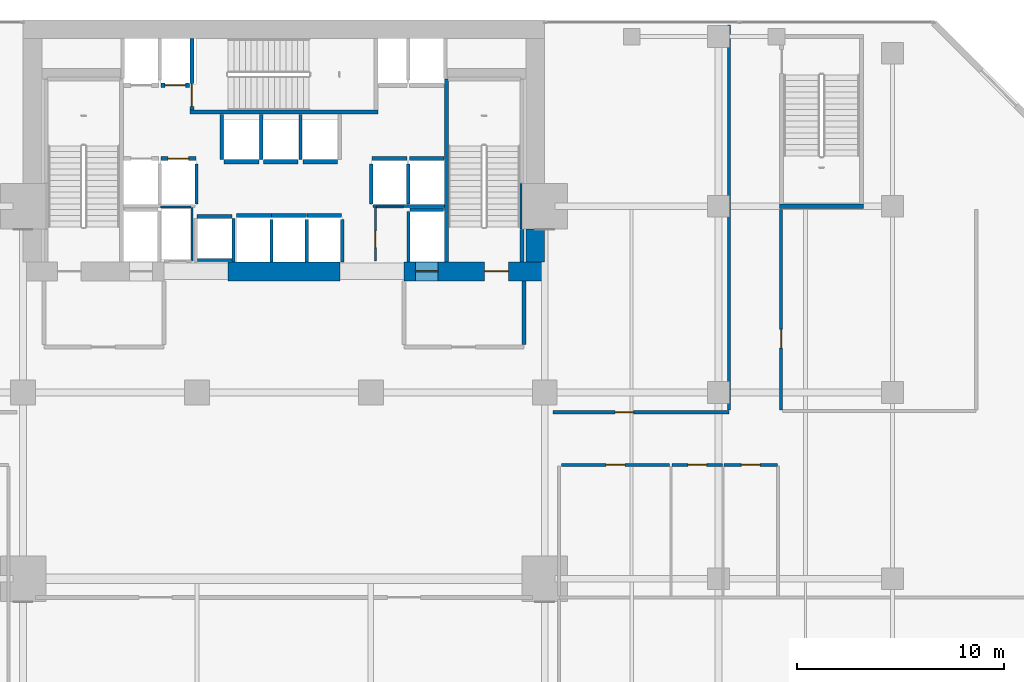
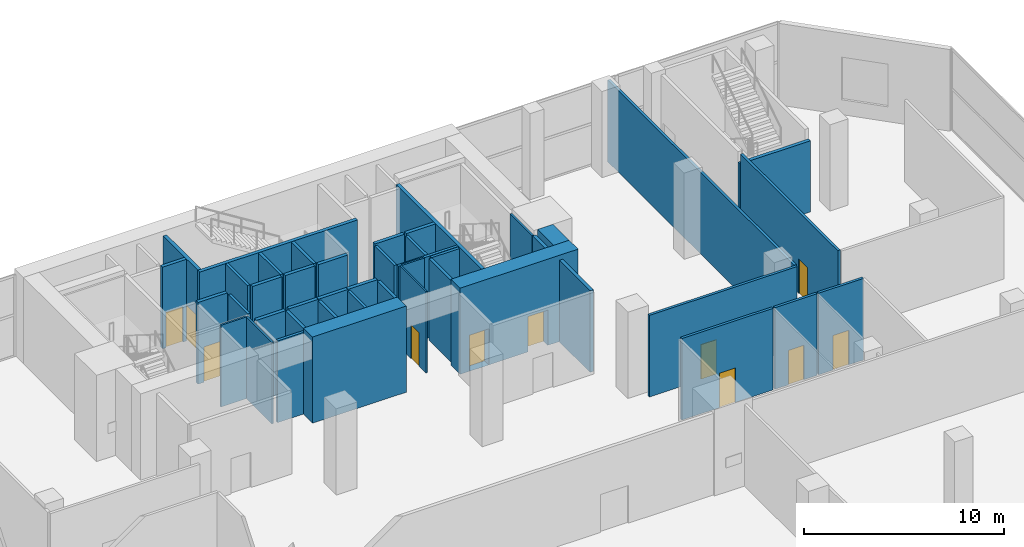
# One storey, part 36 of 40: 45 walls, 11 doors, 11 openings.
"""IFC4 building model written with IfcOpenShell, lengths in metres."""

import ifcopenshell
import ifcopenshell.guid

model = None  # the IFC model being written
_history = None  # IfcOwnerHistory: only IFC2X3 demands one
_inside = {}  # id of a spatial element -> (the spatial element, [elements in it])
_under = {}  # id of a project, library or spatial element -> (it, [spatial elements below it])
_declared = {}  # id of a project -> (the project, [libraries it declares])
_typed = {}  # id of a type object -> (the type object, [elements of that type])
_made_of = {}  # id of a material, layer set ... -> (it, [elements and type objects made of it])


def new_model(schema):
    """Start an empty IFC model of exactly this schema.

    Asked for "IFC4X3", IfcOpenShell would pick the latest addendum, in which some entities
    have other attributes; the version numbers below select the first issue.
    IFC2X3 requires an IfcOwnerHistory on every rooted entity: one is made here for all.
    """
    global model, _history
    if schema == "IFC4X3":
        model = ifcopenshell.file(schema_version=(4, 3, 0, 0))
    else:
        model = ifcopenshell.file(schema=schema)
    _inside.clear()
    _under.clear()
    _declared.clear()
    _typed.clear()
    _made_of.clear()
    _history = None
    if model.schema == "IFC2X3":
        org = make("IfcOrganization", Name="unknown")
        user = make(
            "IfcPersonAndOrganization",
            ThePerson=make("IfcPerson", FamilyName="unknown"),
            TheOrganization=org,
        )
        app = make(
            "IfcApplication",
            ApplicationDeveloper=org,
            Version="unknown",
            ApplicationFullName="unknown",
            ApplicationIdentifier="unknown",
        )
        _history = make(
            "IfcOwnerHistory",
            OwningUser=user,
            OwningApplication=app,
            ChangeAction="ADDED",
            CreationDate=0,
        )
    return model


def make(cls, **values):
    """One entity of the class cls with the attributes given. An attribute that is None is left unset."""
    return model.create_entity(
        cls, **{name: value for name, value in values.items() if value is not None}
    )


def rooted(cls, **values):
    """An entity with a GlobalId (a new one), such as an element, a storey or a relation."""
    return make(cls, GlobalId=ifcopenshell.guid.new(), OwnerHistory=_history, **values)


def si_unit(unit_type, name, prefix=None):
    """IfcSIUnit, for example si_unit("LENGTHUNIT", "METRE", prefix="MILLI")."""
    return make("IfcSIUnit", UnitType=unit_type, Prefix=prefix, Name=name)


def assignment(units):
    """IfcUnitAssignment: the units of a project."""
    return None if units is None else make("IfcUnitAssignment", Units=units)


def point(xyz):
    """IfcCartesianPoint."""
    return None if xyz is None else make("IfcCartesianPoint", Coordinates=xyz)


def direction(xyz):
    """IfcDirection."""
    return None if xyz is None else make("IfcDirection", DirectionRatios=xyz)


def frame(location, z_axis=None, x_axis=None):
    """IfcAxis2Placement3D, a coordinate frame: its origin and axes. An axis left out is left unset."""
    return make(
        "IfcAxis2Placement3D",
        Location=point(location),
        Axis=direction(z_axis),
        RefDirection=direction(x_axis),
    )


def frame_2d(location, x_axis=None):
    """IfcAxis2Placement2D, a coordinate frame in the plane: its origin and x axis."""
    return make(
        "IfcAxis2Placement2D", Location=point(location), RefDirection=direction(x_axis)
    )


def origin():
    """The frame at (0, 0, 0) with its axes left unset."""
    return frame((0.0, 0.0, 0.0))


def place(relative_to, where):
    """IfcLocalPlacement: puts the frame where relative to a parent placement (None: the world)."""
    return make(
        "IfcLocalPlacement", PlacementRelTo=relative_to, RelativePlacement=where
    )


def context(
    kind, dimensions, precision=None, world=None, true_north=None, identifier=None
):
    """IfcGeometricRepresentationContext, for example the 3D "Model" context."""
    return make(
        "IfcGeometricRepresentationContext",
        ContextIdentifier=identifier,
        ContextType=kind,
        CoordinateSpaceDimension=dimensions,
        Precision=precision,
        WorldCoordinateSystem=world,
        TrueNorth=true_north,
    )


def subcontext(parent, identifier, kind, view, scale=None):
    """IfcGeometricRepresentationSubContext, for example "Body" below "Model"."""
    return make(
        "IfcGeometricRepresentationSubContext",
        ContextIdentifier=identifier,
        ContextType=kind,
        ParentContext=parent,
        TargetScale=scale,
        TargetView=view,
    )


def project(units=None, contexts=None):
    """IfcProject with its units and contexts."""
    return rooted(
        "IfcProject",
        Name="project",
        RepresentationContexts=contexts,
        UnitsInContext=assignment(units),
    )


def spatial(cls, under=None, at=None, **own):
    """A site, building, storey or space (cls), placed at a placement, below another one or the project."""
    s = rooted(cls, ObjectPlacement=at, **own)
    if under is not None:
        _under.setdefault(under.id(), (under, []))[1].append(s)
    return s


def profile(cls, at=None, kind="AREA", **sizes):
    """A parametric profile (cls). Its sizes go by their IFC names, for example OverallWidth=200.0."""
    return make(cls, ProfileType=kind, Position=at, **sizes)


def rectangle(**sizes):
    """IfcRectangleProfileDef."""
    return profile("IfcRectangleProfileDef", **sizes)


def extrude(swept, where, along, depth):
    """IfcExtrudedAreaSolid: the profile swept, set in the frame where, extruded along a direction by depth."""
    return make(
        "IfcExtrudedAreaSolid",
        SweptArea=swept,
        Position=where,
        ExtrudedDirection=direction(along),
        Depth=depth,
    )


def shape(context_of_items, identifier, shape_type, items):
    """IfcShapeRepresentation: the items that make up one representation, for example the "Body"."""
    return make(
        "IfcShapeRepresentation",
        ContextOfItems=context_of_items,
        RepresentationIdentifier=identifier,
        RepresentationType=shape_type,
        Items=items,
    )


def material(Name=None, Category=None):
    """IfcMaterial."""
    return make("IfcMaterial", Name=Name, Category=Category)


def layer(
    of_material, thickness, ventilated=None, Name=None, Category=None, Priority=None
):
    """IfcMaterialLayer: one layer of a wall or slab, of a material (None: an air gap)."""
    return make(
        "IfcMaterialLayer",
        Material=of_material,
        LayerThickness=thickness,
        IsVentilated=ventilated,
        Name=Name,
        Category=Category,
        Priority=Priority,
    )


def layer_set(layers, Name=None):
    """IfcMaterialLayerSet."""
    return make("IfcMaterialLayerSet", MaterialLayers=layers, LayerSetName=Name)


def made_of(thing, what):
    """Note that an element or type object is made of a material, layer set ...; save() writes the relation."""
    if what is not None:
        _made_of.setdefault(what.id(), (what, []))[1].append(thing)
    return thing


def type_object(cls, material=None, **own):
    """A type object (cls), such as IfcWallType, which elements share."""
    return made_of(rooted(cls, **own), material)


def element(
    cls,
    number,
    at=None,
    inside=None,
    cuts=None,
    type_object=None,
    material=None,
    context=None,
    identifier="Body",
    shape_type=None,
    held_by="IfcProductDefinitionShape",
    body=None,
    shapes=None,
    **own,
):
    """One element of the class cls, such as IfcWall. Its Tag is "e" and its number.

    at: its placement. inside: the storey or other place that contains it. cuts: it is an
    opening in that element (IfcRelVoidsElement). A single representation is given by context,
    identifier, shape_type and body (its items); several are given by shapes. held_by: the class
    of the entity that holds the representations. save() writes the other relations.
    """
    e = rooted(cls, Tag="e%d" % number, ObjectPlacement=at, **own)
    if body is not None:
        shapes = [shape(context, identifier, shape_type, body)]
    if shapes is not None:
        e.Representation = make(held_by, Representations=shapes)
    if inside is not None:
        _inside.setdefault(inside.id(), (inside, []))[1].append(e)
    if cuts is not None:
        rooted(
            "IfcRelVoidsElement", RelatingBuildingElement=cuts, RelatedOpeningElement=e
        )
    if type_object is not None:
        _typed.setdefault(type_object.id(), (type_object, []))[1].append(e)
    return made_of(e, material)


def fill(opening, filler):
    """IfcRelFillsElement: the door or window that sits in an opening."""
    return rooted(
        "IfcRelFillsElement",
        RelatingOpeningElement=opening,
        RelatedBuildingElement=filler,
    )


def aggregate(whole, parts):
    """IfcRelAggregates: a whole, such as a stair, and the parts it consists of."""
    return rooted("IfcRelAggregates", RelatingObject=whole, RelatedObjects=parts)


def save(model, path):
    """Write the relations noted so far, then the file.

    IfcRelAggregates (storeys below a building ...), IfcRelContainedInSpatialStructure (elements
    in a storey), IfcRelDefinesByType, IfcRelAssociatesMaterial and IfcRelDeclares: one each for
    every whole, place, type object, material and project.
    """
    for whole, parts in _under.values():
        aggregate(whole, parts)
    for where, things in _inside.values():
        rooted(
            "IfcRelContainedInSpatialStructure",
            RelatedElements=things,
            RelatingStructure=where,
        )
    for kind, things in _typed.values():
        rooted("IfcRelDefinesByType", RelatedObjects=things, RelatingType=kind)
    for what, things in _made_of.values():
        rooted("IfcRelAssociatesMaterial", RelatedObjects=things, RelatingMaterial=what)
    for by, libraries in _declared.values():
        rooted("IfcRelDeclares", RelatingContext=by, RelatedDefinitions=libraries)
    model.write(path)


model = new_model("IFC4")

# Units and contexts
model_context = context("Model", 3, precision=1e-05, world=origin(), true_north=direction((0.0, 1.0)))
body_context = subcontext(model_context, "Body", "Model", "MODEL_VIEW")
ifc_project = project(units=[si_unit("LENGTHUNIT", "METRE"), si_unit("AREAUNIT", "SQUARE_METRE"), si_unit("VOLUMEUNIT", "CUBIC_METRE"), si_unit("PLANEANGLEUNIT", "RADIAN"), si_unit("MASSUNIT", "GRAM", prefix="KILO")], contexts=[model_context])

# Site, building, storey
site_placement = place(None, origin())
site = spatial("IfcSite", under=ifc_project, at=site_placement, CompositionType="ELEMENT")
building_placement = place(site_placement, origin())
building = spatial("IfcBuilding", under=site, at=building_placement, Name="Maruvema Waterfront Hotel and Observation Tower", CompositionType="ELEMENT")
storey_placement = place(building_placement, frame((0.0, 0.0, 5.60009765625)))
storey = spatial("IfcBuildingStorey", under=building, at=storey_placement, Name="L01", CompositionType="ELEMENT", Elevation=5.60009765625)

# Wall, opening, door
ifc_material_1 = material(Name="Twin-stud acoustic gypsum drywall", Category="gypsum")
ifc_layer_1 = layer(ifc_material_1, 0.14990234375, Name="Acoustic Corridor and Suite Demising Wall 150 mm")
ifc_layer_set_1 = layer_set([ifc_layer_1], Name="Twin-stud acoustic gypsum drywall")
wall_type_1 = type_object("IfcWallType", Name="Acoustic Corridor and Suite Demising Wall 150 mm", PredefinedType="PARTITIONING", material=ifc_layer_set_1)
wall_1_placement = place(storey_placement, frame((51.199951171875, 32.5, 0.0), z_axis=(0.0, 0.0, 1.0), x_axis=(1.0, 0.0, 0.0)))
wall_1 = element("IfcWall", 1, at=wall_1_placement, inside=storey, type_object=wall_type_1, Name="L01 L01 Toilet Wall 022", PredefinedType="PARTITIONING", context=body_context, shape_type="SweptSolid", body=[
    extrude(rectangle(XDim=5.239990234375, YDim=0.14990234375, at=frame_2d((2.6201171875, 0.0))), origin(), (0.0, 0.0, 1.0), 4.969970703125),
])
opening_1_placement = place(wall_1_placement, frame((2.169921875, 0.0, 0.0)))
opening_1 = element("IfcOpeningElement", 2, at=opening_1_placement, cuts=wall_1, Name="Opening DR-090", PredefinedType="OPENING", context=body_context, shape_type="SweptSolid", body=[
    extrude(rectangle(XDim=0.89990234375, YDim=2.10009765625, at=frame_2d((0.449951171875, 1.050048828125))), frame((0.0, 0.0849609375, 0.0), z_axis=(0.0, -1.0, 0.0), x_axis=(1.0, 0.0, 0.0)), (0.0, 0.0, 1.0), 0.169921875),
])
ifc_material_2 = material(Name="Solid-core lacquered timber leaf", Category="wood")
door_type_1 = type_object("IfcDoorType", Name="Accessible Toilet and Room Door 900x2100 mm", OperationType="NOTDEFINED", PredefinedType="DOOR", material=ifc_material_2)
door_1_placement = place(opening_1_placement, origin())
door_1 = element("IfcDoor", 3, at=door_1_placement, inside=storey, type_object=door_type_1, Name="L01 Public Toilet Door", OperationType="SINGLE_SWING_LEFT", OverallHeight=2.10009765625, OverallWidth=0.89990234375, PredefinedType="DOOR", context=body_context, shape_type="SweptSolid", body=[
    extrude(rectangle(XDim=0.89990234375, YDim=2.10009765625, at=frame_2d((0.449951171875, 1.050048828125))), frame((0.0, 0.02490234375, 0.0), z_axis=(0.0, -1.0, 0.0), x_axis=(1.0, 0.0, 0.0)), (0.0, 0.0, 1.0), 0.050048828125),
])
fill(opening_1, door_1)

wall_2_placement = place(storey_placement, frame((56.56005859375, 32.5, 0.0), z_axis=(0.0, 0.0, 1.0), x_axis=(1.0, 0.0, 0.0)))
wall_2 = element("IfcWall", 4, at=wall_2_placement, inside=storey, type_object=wall_type_1, Name="L01 L01 Acc WC Wall 023", PredefinedType="PARTITIONING", context=body_context, shape_type="SweptSolid", body=[
    extrude(rectangle(XDim=2.419921875, YDim=0.14990234375, at=frame_2d((1.2099609375, 0.0))), origin(), (0.0, 0.0, 1.0), 4.969970703125),
])
opening_2_placement = place(wall_2_placement, frame((0.760009765625, 0.0, 0.0)))
opening_2 = element("IfcOpeningElement", 5, at=opening_2_placement, cuts=wall_2, Name="Opening DR-090", PredefinedType="OPENING", context=body_context, shape_type="SweptSolid", body=[
    extrude(rectangle(XDim=0.89990234375, YDim=2.10009765625, at=frame_2d((0.449951171875, 1.050048828125))), frame((0.0, 0.0849609375, 0.0), z_axis=(0.0, -1.0, 0.0), x_axis=(1.0, 0.0, 0.0)), (0.0, 0.0, 1.0), 0.169921875),
])
door_2_placement = place(opening_2_placement, origin())
door_2 = element("IfcDoor", 6, at=door_2_placement, inside=storey, type_object=door_type_1, Name="L01 Accessible WC Door", OperationType="SINGLE_SWING_RIGHT", OverallHeight=2.10009765625, OverallWidth=0.89990234375, PredefinedType="DOOR", context=body_context, shape_type="SweptSolid", body=[
    extrude(rectangle(XDim=0.89990234375, YDim=2.10009765625, at=frame_2d((0.449951171875, 1.050048828125))), frame((0.0, 0.02490234375, 0.0), z_axis=(0.0, -1.0, 0.0), x_axis=(1.0, 0.0, 0.0)), (0.0, 0.0, 1.0), 0.050048828125),
])
fill(opening_2, door_2)

wall_3_placement = place(storey_placement, frame((59.06005859375, 32.5, 0.0), z_axis=(0.0, 0.0, 1.0), x_axis=(1.0, 0.0, 0.0)))
wall_3 = element("IfcWall", 7, at=wall_3_placement, inside=storey, type_object=wall_type_1, Name="L01 L01 Linen Store Wall 024", PredefinedType="PARTITIONING", context=body_context, shape_type="SweptSolid", body=[
    extrude(rectangle(XDim=2.58984375, YDim=0.14990234375, at=frame_2d((1.294921875, 0.0))), origin(), (0.0, 0.0, 1.0), 4.969970703125),
])
opening_3_placement = place(wall_3_placement, frame((0.844970703125, 0.0, 0.0)))
opening_3 = element("IfcOpeningElement", 8, at=opening_3_placement, cuts=wall_3, Name="Opening DR-090", PredefinedType="OPENING", context=body_context, shape_type="SweptSolid", body=[
    extrude(rectangle(XDim=0.89990234375, YDim=2.10009765625, at=frame_2d((0.449951171875, 1.050048828125))), frame((0.0, 0.0849609375, 0.0), z_axis=(0.0, -1.0, 0.0), x_axis=(1.0, 0.0, 0.0)), (0.0, 0.0, 1.0), 0.169921875),
])
door_3_placement = place(opening_3_placement, origin())
door_3 = element("IfcDoor", 9, at=door_3_placement, inside=storey, type_object=door_type_1, Name="L01 Podium Linen Store Door", OperationType="SINGLE_SWING_LEFT", OverallHeight=2.10009765625, OverallWidth=0.89990234375, PredefinedType="DOOR", context=body_context, shape_type="SweptSolid", body=[
    extrude(rectangle(XDim=0.89990234375, YDim=2.10009765625, at=frame_2d((0.449951171875, 1.050048828125))), frame((0.0, 0.02490234375, 0.0), z_axis=(0.0, -1.0, 0.0), x_axis=(1.0, 0.0, 0.0)), (0.0, 0.0, 1.0), 0.050048828125),
])
fill(opening_3, door_3)

wall_4_placement = place(storey_placement, frame((50.800048828125, 35.050048828125, 0.0), z_axis=(0.0, 0.0, 1.0), x_axis=(1.0, 0.0, 0.0)))
wall_4 = element("IfcWall", 10, at=wall_4_placement, inside=storey, type_object=wall_type_1, Name="L01 L01 Lounge South Wall 031", PredefinedType="PARTITIONING", context=body_context, shape_type="SweptSolid", body=[
    extrude(rectangle(XDim=8.5, YDim=0.14990234375, at=frame_2d((4.25, 0.0))), origin(), (0.0, 0.0, 1.0), 4.969970703125),
])
opening_4_placement = place(wall_4_placement, frame((3.0, 0.0, 0.0)))
opening_4 = element("IfcOpeningElement", 11, at=opening_4_placement, cuts=wall_4, Name="Opening DR-090", PredefinedType="OPENING", context=body_context, shape_type="SweptSolid", body=[
    extrude(rectangle(XDim=0.89990234375, YDim=2.10009765625, at=frame_2d((0.449951171875, 1.050048828125))), frame((0.0, 0.0849609375, 0.0), z_axis=(0.0, -1.0, 0.0), x_axis=(1.0, 0.0, 0.0)), (0.0, 0.0, 1.0), 0.169921875),
])
door_4_placement = place(opening_4_placement, frame((0.89990234375, 0.0, 0.0), z_axis=(0.0, 0.0, 1.0), x_axis=(-1.0, 0.0, 0.0)))
door_4 = element("IfcDoor", 12, at=door_4_placement, inside=storey, type_object=door_type_1, Name="L01 Business Lounge Door", OperationType="SINGLE_SWING_RIGHT", OverallHeight=2.10009765625, OverallWidth=0.89990234375, PredefinedType="DOOR", context=body_context, shape_type="SweptSolid", body=[
    extrude(rectangle(XDim=0.89990234375, YDim=2.10009765625, at=frame_2d((0.449951171875, 1.050048828125))), frame((0.0, 0.02490234375, 0.0), z_axis=(0.0, -1.0, 0.0), x_axis=(1.0, 0.0, 0.0)), (0.0, 0.0, 1.0), 0.050048828125),
])
fill(opening_4, door_4)

# Wall
wall_5_placement = place(storey_placement, frame((59.300048828125, 35.14990234375, 0.0), z_axis=(0.0, 0.0, 1.0), x_axis=(0.0, 1.0, 0.0)))
element("IfcWall", 13, at=wall_5_placement, inside=storey, type_object=wall_type_1, Name="L01 L01 Lounge East Wall 032", PredefinedType="PARTITIONING", context=body_context, shape_type="SweptSolid", body=[
    extrude(rectangle(XDim=18.60009765625, YDim=0.14990234375, at=frame_2d((9.300048828125, 0.0))), origin(), (0.0, 0.0, 1.0), 4.969970703125),
])

# Wall, opening, door
wall_6_placement = place(storey_placement, frame((61.820068359375, 35.14990234375, 0.0), z_axis=(0.0, 0.0, 1.0), x_axis=(0.0, 1.0, 0.0)))
wall_6 = element("IfcWall", 14, at=wall_6_placement, inside=storey, type_object=wall_type_1, Name="L01 L01 AV Store Wall 033", PredefinedType="PARTITIONING", context=body_context, shape_type="SweptSolid", body=[
    extrude(rectangle(XDim=9.7001953125, YDim=0.14990234375, at=frame_2d((4.85009765625, 0.0))), origin(), (0.0, 0.0, 1.0), 4.969970703125),
])
opening_5_placement = place(wall_6_placement, frame((3.0, 0.0, 0.0)))
opening_5 = element("IfcOpeningElement", 15, at=opening_5_placement, cuts=wall_6, Name="Opening DR-090", PredefinedType="OPENING", context=body_context, shape_type="SweptSolid", body=[
    extrude(rectangle(XDim=0.89990234375, YDim=2.10009765625, at=frame_2d((0.449951171875, 1.050048828125))), frame((0.0, 0.0849609375, 0.0), z_axis=(0.0, -1.0, 0.0), x_axis=(1.0, 0.0, 0.0)), (0.0, 0.0, 1.0), 0.169921875),
])
door_5_placement = place(opening_5_placement, frame((0.89990234375, 0.0, 0.0), z_axis=(0.0, 0.0, 1.0), x_axis=(-1.0, 0.0, 0.0)))
door_5 = element("IfcDoor", 16, at=door_5_placement, inside=storey, type_object=door_type_1, Name="L01 AV Store Door", OperationType="SINGLE_SWING_LEFT", OverallHeight=2.10009765625, OverallWidth=0.89990234375, PredefinedType="DOOR", context=body_context, shape_type="SweptSolid", body=[
    extrude(rectangle(XDim=0.89990234375, YDim=2.10009765625, at=frame_2d((0.449951171875, 1.050048828125))), frame((0.0, 0.02490234375, 0.0), z_axis=(0.0, -1.0, 0.0), x_axis=(1.0, 0.0, 0.0)), (0.0, 0.0, 1.0), 0.050048828125),
])
fill(opening_5, door_5)

# Wall
ifc_material_3 = material(Name="Precast concrete C45/55", Category="concrete")
ifc_layer_2 = layer(ifc_material_3, 0.199951171875, Name="Core Shaft and Stairwell Enclosure Wall 200 mm")
ifc_layer_set_2 = layer_set([ifc_layer_2], Name="Precast concrete C45/55")
wall_type_2 = type_object("IfcWallType", Name="Core Shaft and Stairwell Enclosure Wall 200 mm", PredefinedType="SOLIDWALL", material=ifc_layer_set_2)
wall_7_placement = place(storey_placement, frame((33.25, 49.550048828125, 0.0), z_axis=(0.0, 0.0, 1.0), x_axis=(1.0, 0.0, 0.0)))
element("IfcWall", 17, at=wall_7_placement, inside=storey, type_object=wall_type_2, Name="L01 Stairwell ST-02 Shaft Wall", PredefinedType="SOLIDWALL", context=body_context, shape_type="SweptSolid", body=[
    extrude(rectangle(XDim=9.10009765625, YDim=0.199951171875, at=frame_2d((4.550048828125, 0.0))), origin(), (0.0, 0.0, 1.0), 4.969970703125),
])

# Wall, opening, door
wall_8_placement = place(storey_placement, frame((33.35009765625, 49.64990234375, 0.0), z_axis=(0.0, 0.0, 1.0), x_axis=(0.0, 1.0, 0.0)))
wall_8 = element("IfcWall", 18, at=wall_8_placement, inside=storey, type_object=wall_type_2, Name="L01 Stairwell ST-02 Shaft Wall", PredefinedType="SOLIDWALL", context=body_context, shape_type="SweptSolid", body=[
    extrude(rectangle(XDim=3.4501953125, YDim=0.199951171875, at=frame_2d((1.72509765625, 0.0))), origin(), (0.0, 0.0, 1.0), 4.969970703125),
])
opening_6_placement = place(wall_8_placement, frame((0.179931640625, 0.0, 0.0)))
opening_6 = element("IfcOpeningElement", 19, at=opening_6_placement, cuts=wall_8, Name="Opening SD-02", PredefinedType="OPENING", context=body_context, shape_type="SweptSolid", body=[
    extrude(rectangle(XDim=1.10009765625, YDim=2.14990234375, at=frame_2d((0.550048828125, 1.074951171875))), frame((0.0, 0.10986328125, 0.0), z_axis=(0.0, -1.0, 0.0), x_axis=(1.0, 0.0, 0.0)), (0.0, 0.0, 1.0), 0.219970703125),
])
ifc_material_4 = material(Name="Fire-rated galvanised steel leaf", Category="steel")
door_type_2 = type_object("IfcDoorType", Name="Central Exit Stair Fire Door 1100x2150 mm", OperationType="NOTDEFINED", PredefinedType="DOOR", material=ifc_material_4)
door_6_placement = place(opening_6_placement, frame((1.10009765625, 0.0, 0.0), z_axis=(0.0, 0.0, 1.0), x_axis=(-1.0, 0.0, 0.0)))
door_6 = element("IfcDoor", 20, at=door_6_placement, inside=storey, type_object=door_type_2, Name="L01 Exit Stair ST-02 Fire Door", OperationType="SINGLE_SWING_LEFT", OverallHeight=2.14990234375, OverallWidth=1.10009765625, PredefinedType="DOOR", context=body_context, shape_type="SweptSolid", body=[
    extrude(rectangle(XDim=1.10009765625, YDim=2.14990234375, at=frame_2d((0.550048828125, 1.074951171875))), frame((0.0, 0.02490234375, 0.0), z_axis=(0.0, -1.0, 0.0), x_axis=(1.0, 0.0, 0.0)), (0.0, 0.0, 1.0), 0.050048828125),
])
fill(opening_6, door_6)

# Walls
wall_9_placement = place(storey_placement, frame((45.64990234375, 42.300048828125, 0.0), z_axis=(0.0, 0.0, 1.0), x_axis=(0.0, 1.0, 0.0)))
element("IfcWall", 21, at=wall_9_placement, inside=storey, type_object=wall_type_2, Name="L01 Stairwell ST-03 West Shaft Wall", PredefinedType="SOLIDWALL", context=body_context, shape_type="SweptSolid", body=[
    extrude(rectangle(XDim=8.849853515625, YDim=0.199951171875, at=frame_2d((4.4248046875, 0.0))), origin(), (0.0, 0.0, 1.0), 4.969970703125),
])
wall_10_placement = place(storey_placement, frame((49.300048828125, 42.300048828125, 0.0), z_axis=(0.0, 0.0, 1.0), x_axis=(0.0, 1.0, 0.0)))
element("IfcWall", 22, at=wall_10_placement, inside=storey, type_object=wall_type_2, Name="L01 Stairwell ST-03 Shaft Lining Wall", PredefinedType="SOLIDWALL", context=body_context, shape_type="SweptSolid", body=[
    extrude(rectangle(XDim=1.579833984375, YDim=0.199951171875, at=frame_2d((0.7900390625, 0.0))), origin(), (0.0, 0.0, 1.0), 4.969970703125),
])
wall_11_placement = place(storey_placement, frame((61.75, 45.0, 0.0), z_axis=(0.0, 0.0, 1.0), x_axis=(1.0, 0.0, 0.0)))
element("IfcWall", 23, at=wall_11_placement, inside=storey, type_object=wall_type_2, Name="L01 Stairwell ST-05 Shaft Wall", PredefinedType="SOLIDWALL", context=body_context, shape_type="SweptSolid", body=[
    extrude(rectangle(XDim=4.050048828125, YDim=0.199951171875, at=frame_2d((2.02490234375, 0.0))), origin(), (0.0, 0.0, 1.0), 4.3349609375),
])

# Wall, opening, door
wall_12_placement = place(storey_placement, frame((31.860107421875, 47.300048828125, 0.0), z_axis=(0.0, 0.0, 1.0), x_axis=(1.0, 0.0, 0.0)))
wall_12 = element("IfcWall", 24, at=wall_12_placement, inside=storey, type_object=wall_type_2, Name="L01 Lift LF-02 Hoistway Front Wall", PredefinedType="SOLIDWALL", context=body_context, shape_type="SweptSolid", body=[
    extrude(rectangle(XDim=1.679931640625, YDim=0.199951171875, at=frame_2d((0.83984375, 0.0))), origin(), (0.0, 0.0, 1.0), 4.969970703125),
])
opening_7_placement = place(wall_12_placement, frame((0.340087890625, 0.0, 0.0)))
opening_7 = element("IfcOpeningElement", 25, at=opening_7_placement, cuts=wall_12, Name="Opening LD-01", PredefinedType="OPENING", context=body_context, shape_type="SweptSolid", body=[
    extrude(rectangle(XDim=1.0, YDim=2.14990234375, at=frame_2d((0.5, 1.074951171875))), frame((0.0, 0.10986328125, 0.0), z_axis=(0.0, -1.0, 0.0), x_axis=(1.0, 0.0, 0.0)), (0.0, 0.0, 1.0), 0.219970703125),
])
ifc_material_5 = material(Name="Brushed stainless steel Grade 316", Category="steel")
door_type_3 = type_object("IfcDoorType", Name="Passenger Lift Sliding Landing Door 1000x2150 mm", OperationType="SLIDING_TO_LEFT", PredefinedType="DOOR", material=ifc_material_5)
door_7_placement = place(opening_7_placement, origin())
door_7 = element("IfcDoor", 26, at=door_7_placement, inside=storey, type_object=door_type_3, Name="L01 Lift LF-02 Sliding Landing Door", OperationType="SLIDING_TO_LEFT", OverallHeight=2.14990234375, OverallWidth=1.0, PredefinedType="DOOR", context=body_context, shape_type="SweptSolid", body=[
    extrude(rectangle(XDim=1.0, YDim=2.14990234375, at=frame_2d((0.5, 1.074951171875))), frame((0.0, 0.02490234375, 0.0), z_axis=(0.0, -1.0, 0.0), x_axis=(1.0, 0.0, 0.0)), (0.0, 0.0, 1.0), 0.050048828125),
])
fill(opening_7, door_7)

wall_13_placement = place(storey_placement, frame((31.860107421875, 50.85009765625, 0.0), z_axis=(0.0, 0.0, 1.0), x_axis=(1.0, 0.0, 0.0)))
wall_13 = element("IfcWall", 27, at=wall_13_placement, inside=storey, type_object=wall_type_2, Name="L01 Lift LF-04 Hoistway Front Wall", PredefinedType="SOLIDWALL", context=body_context, shape_type="SweptSolid", body=[
    extrude(rectangle(XDim=1.3798828125, YDim=0.199951171875, at=frame_2d((0.68994140625, 0.0))), origin(), (0.0, 0.0, 1.0), 4.969970703125),
])
opening_8_placement = place(wall_13_placement, frame((0.18994140625, 0.0, 0.0)))
opening_8 = element("IfcOpeningElement", 28, at=opening_8_placement, cuts=wall_13, Name="Opening LD-01", PredefinedType="OPENING", context=body_context, shape_type="SweptSolid", body=[
    extrude(rectangle(XDim=1.0, YDim=2.14990234375, at=frame_2d((0.5, 1.074951171875))), frame((0.0, 0.10986328125, 0.0), z_axis=(0.0, -1.0, 0.0), x_axis=(1.0, 0.0, 0.0)), (0.0, 0.0, 1.0), 0.219970703125),
])
door_8_placement = place(opening_8_placement, frame((1.0, 0.0, 0.0), z_axis=(0.0, 0.0, 1.0), x_axis=(-1.0, 0.0, 0.0)))
door_8 = element("IfcDoor", 29, at=door_8_placement, inside=storey, type_object=door_type_3, Name="L01 Lift LF-04 Sliding Landing Door", OperationType="SLIDING_TO_LEFT", OverallHeight=2.14990234375, OverallWidth=1.0, PredefinedType="DOOR", context=body_context, shape_type="SweptSolid", body=[
    extrude(rectangle(XDim=1.0, YDim=2.14990234375, at=frame_2d((0.5, 1.074951171875))), frame((0.0, 0.02490234375, 0.0), z_axis=(0.0, -1.0, 0.0), x_axis=(1.0, 0.0, 0.0)), (0.0, 0.0, 1.0), 0.050048828125),
])
fill(opening_8, door_8)

# Walls
for number, where, z_axis, x_axis, name in (
    (30, (42.06005859375, 47.300048828125, 0.0), (0.0, 0.0, 1.0), (1.0, 0.0, 0.0), "L01 Lift LF-05 Hoistway Front Wall"),
    (31, (43.860107421875, 47.300048828125, 0.0), (0.0, 0.0, 1.0), (1.0, 0.0, 0.0), "L01 Lift LF-06 Hoistway Front Wall"),
    (32, (35.510009765625, 44.550048828125, 0.0), (0.0, 0.0, 1.0), (1.0, 0.0, 0.0), "L01 Lift LF-09 Hoistway Front Wall"),
    (33, (37.2099609375, 44.550048828125, 0.0), (0.0, 0.0, 1.0), (1.0, 0.0, 0.0), "L01 Lift LF-10 Hoistway Front Wall"),
):
    element("IfcWall", number, at=place(storey_placement, frame(where, z_axis=z_axis, x_axis=x_axis)), inside=storey, type_object=wall_type_2, Name=name, PredefinedType="SOLIDWALL", context=body_context, shape_type="SweptSolid", body=[
        extrude(rectangle(XDim=1.679931640625, YDim=0.199951171875, at=frame_2d((0.83984375, 0.0))), origin(), (0.0, 0.0, 1.0), 4.969970703125),
    ])
for number, where, z_axis, x_axis, name in (
    (34, (38.909912109375, 44.550048828125, 0.0), (0.0, 0.0, 1.0), (1.0, 0.0, 0.0), "L01 Lift LF-11 Hoistway Front Wall"),
    (35, (34.909912109375, 47.14990234375, 0.0), (0.0, 0.0, 1.0), (1.0, 0.0, 0.0), "L01 Lift LF-12 Hoistway Front Wall"),
):
    element("IfcWall", number, at=place(storey_placement, frame(where, z_axis=z_axis, x_axis=x_axis)), inside=storey, type_object=wall_type_2, Name=name, PredefinedType="SOLIDWALL", context=body_context, shape_type="SweptSolid", body=[
        extrude(rectangle(XDim=1.68017578125, YDim=0.199951171875, at=frame_2d((0.840087890625, 0.0))), origin(), (0.0, 0.0, 1.0), 4.969970703125),
    ])
for number, where, z_axis, x_axis, name in (
    (36, (36.81005859375, 47.14990234375, 0.0), (0.0, 0.0, 1.0), (1.0, 0.0, 0.0), "L01 Lift LF-13 Hoistway Front Wall"),
    (37, (38.7099609375, 47.14990234375, 0.0), (0.0, 0.0, 1.0), (1.0, 0.0, 0.0), "L01 Lift LF-14 Hoistway Front Wall"),
    (38, (33.610107421875, 44.5, 0.0), (0.0, 0.0, 1.0), (1.0, 0.0, 0.0), "L01 Lift LF-15 Hoistway Front Wall"),
):
    element("IfcWall", number, at=place(storey_placement, frame(where, z_axis=z_axis, x_axis=x_axis)), inside=storey, type_object=wall_type_2, Name=name, PredefinedType="SOLIDWALL", context=body_context, shape_type="SweptSolid", body=[
        extrude(rectangle(XDim=1.679931640625, YDim=0.199951171875, at=frame_2d((0.83984375, 0.0))), origin(), (0.0, 0.0, 1.0), 4.969970703125),
    ])
ifc_material_6 = material(Name="Concrete C80/95", Category="concrete")
ifc_layer_3 = layer(ifc_material_6, 0.89990234375, Name="Core Shear Wall 900 mm")
ifc_layer_set_3 = layer_set([ifc_layer_3], Name="Concrete C80/95")
wall_type_3 = type_object("IfcWallType", Name="Core Shear Wall 900 mm", PredefinedType="SHEAR", material=ifc_layer_set_3)
wall_14_placement = place(storey_placement, frame((35.10009765625, 41.85009765625, 0.0), z_axis=(0.0, 0.0, 1.0), x_axis=(1.0, 0.0, 0.0)))
element("IfcWall", 39, at=wall_14_placement, inside=storey, type_object=wall_type_3, Name="L01 South-Central Core Shear Wall", PredefinedType="SHEAR", context=body_context, shape_type="SweptSolid", body=[
    extrude(rectangle(XDim=5.39990234375, YDim=0.89990234375, at=frame_2d((2.699951171875, 0.0))), origin(), (0.0, 0.0, 1.0), 5.25),
])

# Wall, openings, doors
wall_15_placement = place(storey_placement, frame((43.60009765625, 41.85009765625, 0.0), z_axis=(0.0, 0.0, 1.0), x_axis=(1.0, 0.0, 0.0)))
wall_15 = element("IfcWall", 40, at=wall_15_placement, inside=storey, type_object=wall_type_3, Name="L01 South-East Core Shear Wall", PredefinedType="SHEAR", context=body_context, shape_type="SweptSolid", body=[
    extrude(rectangle(XDim=6.7998046875, YDim=0.89990234375, at=frame_2d((3.39990234375, 0.0))), origin(), (0.0, 0.0, 1.0), 5.25),
])
opening_9_placement = place(wall_15_placement, frame((3.89990234375, 0.0, 0.0)))
opening_9 = element("IfcOpeningElement", 41, at=opening_9_placement, cuts=wall_15, Name="Opening SD-01", PredefinedType="OPENING", context=body_context, shape_type="SweptSolid", body=[
    extrude(rectangle(XDim=1.14990234375, YDim=2.14990234375, at=frame_2d((0.574951171875, 1.074951171875))), frame((0.0, 0.4599609375, 0.0), z_axis=(0.0, -1.0, 0.0), x_axis=(1.0, 0.0, 0.0)), (0.0, 0.0, 1.0), 0.919921875),
])
opening_10_placement = place(wall_15_placement, frame((0.550048828125, 0.0, 0.0)))
opening_10 = element("IfcOpeningElement", 42, at=opening_10_placement, cuts=wall_15, Name="Opening LD-03", PredefinedType="OPENING", context=body_context, shape_type="SweptSolid", body=[
    extrude(rectangle(XDim=1.10009765625, YDim=2.199951171875, at=frame_2d((0.550048828125, 1.10009765625))), frame((0.0, 0.4599609375, 0.0), z_axis=(0.0, -1.0, 0.0), x_axis=(1.0, 0.0, 0.0)), (0.0, 0.0, 1.0), 0.919921875),
])
ifc_material_7 = material(Name="Fire-rated galvanised steel leaf", Category="steel")
door_type_4 = type_object("IfcDoorType", Name="Exit Stair Fire Door 1150x2150 mm", OperationType="NOTDEFINED", PredefinedType="DOOR", material=ifc_material_7)
door_9_placement = place(opening_9_placement, origin())
door_9 = element("IfcDoor", 43, at=door_9_placement, inside=storey, type_object=door_type_4, Name="L01 Exit Stair ST-03 Fire Door", OperationType="SINGLE_SWING_RIGHT", OverallHeight=2.14990234375, OverallWidth=1.14990234375, PredefinedType="DOOR", context=body_context, shape_type="SweptSolid", body=[
    extrude(rectangle(XDim=1.14990234375, YDim=2.14990234375, at=frame_2d((0.574951171875, 1.074951171875))), frame((0.0, 0.02490234375, 0.0), z_axis=(0.0, -1.0, 0.0), x_axis=(1.0, 0.0, 0.0)), (0.0, 0.0, 1.0), 0.050048828125),
])
fill(opening_9, door_9)
ifc_material_8 = material(Name="Brushed stainless steel Grade 316", Category="steel")
door_type_5 = type_object("IfcDoorType", Name="Firefighting Lift Sliding Landing Door 1100x2200 mm", OperationType="SLIDING_TO_LEFT", PredefinedType="DOOR", material=ifc_material_8)
door_10_placement = place(opening_10_placement, frame((1.10009765625, 0.0, 0.0), z_axis=(0.0, 0.0, 1.0), x_axis=(-1.0, 0.0, 0.0)))
door_10 = element("IfcDoor", 44, at=door_10_placement, inside=storey, type_object=door_type_5, Name="L01 Firefighting Lift FL-02 Landing Door", OperationType="SLIDING_TO_LEFT", OverallHeight=2.199951171875, OverallWidth=1.10009765625, PredefinedType="DOOR", context=body_context, shape_type="SweptSolid", body=[
    extrude(rectangle(XDim=1.10009765625, YDim=2.199951171875, at=frame_2d((0.550048828125, 1.10009765625))), frame((0.0, 0.02490234375, 0.0), z_axis=(0.0, -1.0, 0.0), x_axis=(1.0, 0.0, 0.0)), (0.0, 0.0, 1.0), 0.050048828125),
])
fill(opening_10, door_10)

# Walls
wall_16_placement = place(storey_placement, frame((49.949951171875, 42.300048828125, 0.0), z_axis=(0.0, 0.0, 1.0), x_axis=(0.0, 1.0, 0.0)))
element("IfcWall", 45, at=wall_16_placement, inside=storey, type_object=wall_type_3, Name="L01 East-South Core Shear Wall", PredefinedType="SHEAR", context=body_context, shape_type="SweptSolid", body=[
    extrude(rectangle(XDim=1.599853515625, YDim=0.89990234375, at=frame_2d((0.7998046875, 0.0))), origin(), (0.0, 0.0, 1.0), 5.25),
])
ifc_material_9 = material(Name="Moisture-resistant cement-board drywall", Category="gypsum")
ifc_layer_4 = layer(ifc_material_9, 0.10009765625, Name="En-Suite Moisture-Resistant Partition 100 mm")
ifc_layer_set_4 = layer_set([ifc_layer_4], Name="Moisture-resistant cement-board drywall")
wall_type_4 = type_object("IfcWallType", Name="En-Suite Moisture-Resistant Partition 100 mm", PredefinedType="PARTITIONING", material=ifc_layer_set_4)
wall_17_placement = place(storey_placement, frame((31.840087890625, 44.9599609375, 0.0), z_axis=(0.0, 0.0, 1.0), x_axis=(1.0, 0.0, 0.0)))
element("IfcWall", 46, at=wall_17_placement, inside=storey, type_object=wall_type_4, Name="L01 Telecom Riser North Wall 008", PredefinedType="PARTITIONING", context=body_context, shape_type="SweptSolid", body=[
    extrude(rectangle(XDim=1.47998046875, YDim=0.10009765625, at=frame_2d((0.739990234375, 0.0))), origin(), (0.0, 0.0, 1.0), 4.969970703125),
])
wall_18_placement = place(storey_placement, frame((33.360107421875, 42.360107421875, 0.0), z_axis=(0.0, 0.0, 1.0), x_axis=(0.0, 1.0, 0.0)))
element("IfcWall", 47, at=wall_18_placement, inside=storey, type_object=wall_type_4, Name="L01 Telecom Riser East Wall 009", PredefinedType="PARTITIONING", context=body_context, shape_type="SweptSolid", body=[
    extrude(rectangle(XDim=2.579833984375, YDim=0.10009765625, at=frame_2d((1.2900390625, 0.0))), origin(), (0.0, 0.0, 1.0), 4.969970703125),
])

# Wall, opening, door
wall_19_placement = place(storey_placement, frame((42.219970703125, 42.35009765625, 0.0), z_axis=(0.0, 0.0, 1.0), x_axis=(0.0, 1.0, 0.0)))
wall_19 = element("IfcWall", 48, at=wall_19_placement, inside=storey, type_object=wall_type_4, Name="L01 Core Closet K1 West 010", PredefinedType="PARTITIONING", context=body_context, shape_type="SweptSolid", body=[
    extrude(rectangle(XDim=2.60986328125, YDim=0.10009765625, at=frame_2d((1.304931640625, 0.0))), origin(), (0.0, 0.0, 1.0), 4.969970703125),
])
opening_11_placement = place(wall_19_placement, frame((0.64990234375, 0.0, 0.0)))
opening_11 = element("IfcOpeningElement", 49, at=opening_11_placement, cuts=wall_19, Name="Opening DR-080", PredefinedType="OPENING", context=body_context, shape_type="SweptSolid", body=[
    extrude(rectangle(XDim=0.800048828125, YDim=2.050048828125, at=frame_2d((0.39990234375, 1.02490234375))), frame((0.0, 0.06005859375, 0.0), z_axis=(0.0, -1.0, 0.0), x_axis=(1.0, 0.0, 0.0)), (0.0, 0.0, 1.0), 0.1201171875),
])
ifc_material_10 = material(Name="Powder-coated steel access leaf", Category="steel")
door_type_6 = type_object("IfcDoorType", Name="Riser and Service Cupboard Door 800x2050 mm", OperationType="NOTDEFINED", PredefinedType="DOOR", material=ifc_material_10)
door_11_placement = place(opening_11_placement, frame((0.800048828125, 0.0, 0.0), z_axis=(0.0, 0.0, 1.0), x_axis=(-1.0, 0.0, 0.0)))
door_11 = element("IfcDoor", 50, at=door_11_placement, inside=storey, type_object=door_type_6, Name="L01 Core Cleaning Store Door", OperationType="SINGLE_SWING_LEFT", OverallHeight=2.050048828125, OverallWidth=0.800048828125, PredefinedType="DOOR", context=body_context, shape_type="SweptSolid", body=[
    extrude(rectangle(XDim=0.800048828125, YDim=2.050048828125, at=frame_2d((0.39990234375, 1.02490234375))), frame((0.0, 0.02490234375, 0.0), z_axis=(0.0, -1.0, 0.0), x_axis=(1.0, 0.0, 0.0)), (0.0, 0.0, 1.0), 0.050048828125),
])
fill(opening_11, door_11)

# Walls
wall_20_placement = place(storey_placement, frame((42.280029296875, 44.9599609375, 0.0), z_axis=(0.0, 0.0, 1.0), x_axis=(1.0, 0.0, 0.0)))
element("IfcWall", 51, at=wall_20_placement, inside=storey, type_object=wall_type_4, Name="L01 Core Closet K1 North 011", PredefinedType="PARTITIONING", context=body_context, shape_type="SweptSolid", body=[
    extrude(rectangle(XDim=1.300048828125, YDim=0.10009765625, at=frame_2d((0.64990234375, 0.0))), origin(), (0.0, 0.0, 1.0), 4.969970703125),
])
ifc_material_11 = material(Name="Autoclaved cellular concrete blockwork", Category="masonry")
ifc_layer_5 = layer(ifc_material_11, 0.199951171875, Name="Fire Compartment Masonry Wall 200 mm")
ifc_layer_set_5 = layer_set([ifc_layer_5], Name="Autoclaved cellular concrete blockwork")
wall_type_5 = type_object("IfcWallType", Name="Fire Compartment Masonry Wall 200 mm", PredefinedType="PARTITIONING", material=ifc_layer_set_5)
wall_21_placement = place(storey_placement, frame((49.39990234375, 38.31005859375, 0.0), z_axis=(0.0, 0.0, 1.0), x_axis=(0.0, 1.0, 0.0)))
element("IfcWall", 52, at=wall_21_placement, inside=storey, type_object=wall_type_5, Name="L01 FFL East East Wall 006", PredefinedType="PARTITIONING", context=body_context, shape_type="SweptSolid", body=[
    extrude(rectangle(XDim=3.06982421875, YDim=0.199951171875, at=frame_2d((1.534912109375, 0.0))), origin(), (0.0, 0.0, 1.0), 4.969970703125),
])
ifc_material_12 = material(Name="Precast concrete C45/55", Category="concrete")
ifc_layer_6 = layer(ifc_material_12, 0.159912109375, Name="Lift Hoistway Divider Wall 160 mm")
ifc_layer_set_6 = layer_set([ifc_layer_6], Name="Precast concrete C45/55")
wall_type_6 = type_object("IfcWallType", Name="Lift Hoistway Divider Wall 160 mm", PredefinedType="SOLIDWALL", material=ifc_layer_set_6)
wall_22_placement = place(storey_placement, frame((43.89990234375, 44.830078125, 0.0), z_axis=(0.0, 0.0, 1.0), x_axis=(1.0, 0.0, 0.0)))
element("IfcWall", 53, at=wall_22_placement, inside=storey, type_object=wall_type_6, Name="L01 Lift FL-02 Rear Hoistway Wall", PredefinedType="SOLIDWALL", context=body_context, shape_type="SweptSolid", body=[
    extrude(rectangle(XDim=1.60009765625, YDim=0.159912109375, at=frame_2d((0.800048828125, 0.0))), origin(), (0.0, 0.0, 1.0), 4.969970703125),
])
wall_23_placement = place(storey_placement, frame((43.820068359375, 42.300048828125, 0.0), z_axis=(0.0, 0.0, 1.0), x_axis=(0.0, 1.0, 0.0)))
element("IfcWall", 54, at=wall_23_placement, inside=storey, type_object=wall_type_6, Name="L01 Lift FL-02 Inner Hoistway Wall", PredefinedType="SOLIDWALL", context=body_context, shape_type="SweptSolid", body=[
    extrude(rectangle(XDim=2.43994140625, YDim=0.159912109375, at=frame_2d((1.219970703125, 0.0))), origin(), (0.0, 0.0, 1.0), 4.969970703125),
])
for number, where, z_axis, x_axis, name in (
    (55, (33.580078125, 45.10009765625, 0.0), (0.0, 0.0, 1.0), (0.0, 1.0, 0.0), "L01 Hoistway Divider Wall"),
    (56, (42.02001953125, 45.10009765625, 0.0), (0.0, 0.0, 1.0), (0.0, 1.0, 0.0), "L01 Hoistway Divider Wall"),
    (57, (43.800048828125, 45.10009765625, 0.0), (0.0, 0.0, 1.0), (0.0, 1.0, 0.0), "L01 Hoistway Divider Wall"),
):
    element("IfcWall", number, at=place(storey_placement, frame(where, z_axis=z_axis, x_axis=x_axis)), inside=storey, type_object=wall_type_6, Name=name, PredefinedType="SOLIDWALL", context=body_context, shape_type="SweptSolid", body=[
        extrude(rectangle(XDim=1.949951171875, YDim=0.159912109375, at=frame_2d((0.97509765625, 0.0))), origin(), (0.0, 0.0, 1.0), 4.969970703125),
    ])
wall_24_placement = place(storey_placement, frame((42.10009765625, 45.010009765625, 0.0), z_axis=(0.0, 0.0, 1.0), x_axis=(1.0, 0.0, 0.0)))
element("IfcWall", 58, at=wall_24_placement, inside=storey, type_object=wall_type_6, Name="L01 Hoistway Divider Wall", PredefinedType="SOLIDWALL", context=body_context, shape_type="SweptSolid", body=[
    extrude(rectangle(XDim=3.449951171875, YDim=0.159912109375, at=frame_2d((1.72509765625, 0.0))), origin(), (0.0, 0.0, 1.0), 4.969970703125),
])
for number, where, z_axis, x_axis, name in (
    (59, (37.199951171875, 42.300048828125, 0.0), (0.0, 0.0, 1.0), (0.0, 1.0, 0.0), "L01 Hoistway Divider Wall"),
    (60, (38.89990234375, 42.300048828125, 0.0), (0.0, 0.0, 1.0), (0.0, 1.0, 0.0), "L01 Hoistway Divider Wall"),
    (61, (40.6201171875, 42.300048828125, 0.0), (0.0, 0.0, 1.0), (0.0, 1.0, 0.0), "L01 Hoistway Divider Wall"),
):
    element("IfcWall", number, at=place(storey_placement, frame(where, z_axis=z_axis, x_axis=x_axis)), inside=storey, type_object=wall_type_6, Name=name, PredefinedType="SOLIDWALL", context=body_context, shape_type="SweptSolid", body=[
        extrude(rectangle(XDim=2.050048828125, YDim=0.159912109375, at=frame_2d((1.02490234375, 0.0))), origin(), (0.0, 0.0, 1.0), 4.969970703125),
    ])
for number, where, z_axis, x_axis, name in (
    (62, (34.800048828125, 47.25, 0.0), (0.0, 0.0, 1.0), (0.0, 1.0, 0.0), "L01 Hoistway Divider Wall"),
    (63, (36.699951171875, 47.25, 0.0), (0.0, 0.0, 1.0), (0.0, 1.0, 0.0), "L01 Hoistway Divider Wall"),
    (64, (38.60009765625, 47.25, 0.0), (0.0, 0.0, 1.0), (0.0, 1.0, 0.0), "L01 Hoistway Divider Wall"),
):
    element("IfcWall", number, at=place(storey_placement, frame(where, z_axis=z_axis, x_axis=x_axis)), inside=storey, type_object=wall_type_6, Name=name, PredefinedType="SOLIDWALL", context=body_context, shape_type="SweptSolid", body=[
        extrude(rectangle(XDim=2.18994140625, YDim=0.159912109375, at=frame_2d((1.094970703125, 0.0))), origin(), (0.0, 0.0, 1.0), 4.969970703125),
    ])
wall_25_placement = place(storey_placement, frame((35.360107421875, 42.300048828125, 0.0), z_axis=(0.0, 0.0, 1.0), x_axis=(0.0, 1.0, 0.0)))
element("IfcWall", 65, at=wall_25_placement, inside=storey, type_object=wall_type_6, Name="L01 Hoistway Divider Wall", PredefinedType="SOLIDWALL", context=body_context, shape_type="SweptSolid", body=[
    extrude(rectangle(XDim=2.099853515625, YDim=0.159912109375, at=frame_2d((1.0498046875, 0.0))), origin(), (0.0, 0.0, 1.0), 4.969970703125),
])
wall_26_placement = place(storey_placement, frame((33.6201171875, 42.39990234375, 0.0), z_axis=(0.0, 0.0, 1.0), x_axis=(1.0, 0.0, 0.0)))
element("IfcWall", 66, at=wall_26_placement, inside=storey, type_object=wall_type_6, Name="L01 Hoistway Divider Wall", PredefinedType="SOLIDWALL", context=body_context, shape_type="SweptSolid", body=[
    extrude(rectangle(XDim=1.659912109375, YDim=0.159912109375, at=frame_2d((0.830078125, 0.0))), origin(), (0.0, 0.0, 1.0), 4.969970703125),
])
ifc_material_13 = material(Name="Precast concrete C45/55", Category="concrete")
ifc_layer_7 = layer(ifc_material_13, 0.10009765625, Name="Stairwell Stringer Cheek Wall 100 mm")
ifc_layer_set_7 = layer_set([ifc_layer_7], Name="Precast concrete C45/55")
wall_type_7 = type_object("IfcWallType", Name="Stairwell Stringer Cheek Wall 100 mm", PredefinedType="SOLIDWALL", material=ifc_layer_set_7)
wall_27_placement = place(storey_placement, frame((49.248046875, 43.89990234375, 0.0), z_axis=(0.0, 0.0, 1.0), x_axis=(0.0, 1.0, 0.0)))
element("IfcWall", 67, at=wall_27_placement, inside=storey, type_object=wall_type_7, Name="L01 Stairwell ST-03 Mega-Column Cheek Wall", PredefinedType="SOLIDWALL", context=body_context, shape_type="SweptSolid", body=[
    extrude(rectangle(XDim=2.2001953125, YDim=0.10009765625, at=frame_2d((1.10009765625, 0.0))), origin(), (0.0, 0.0, 1.0), 4.969970703125),
])

save(model, "model.ifc")
